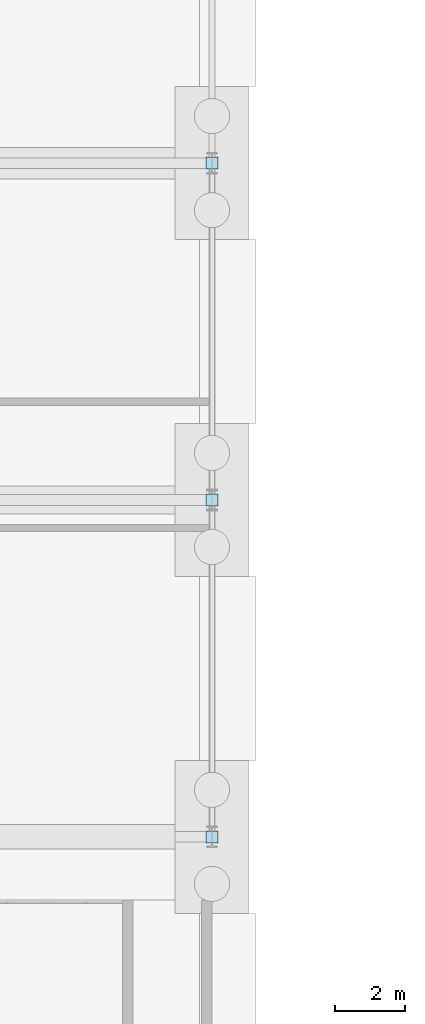
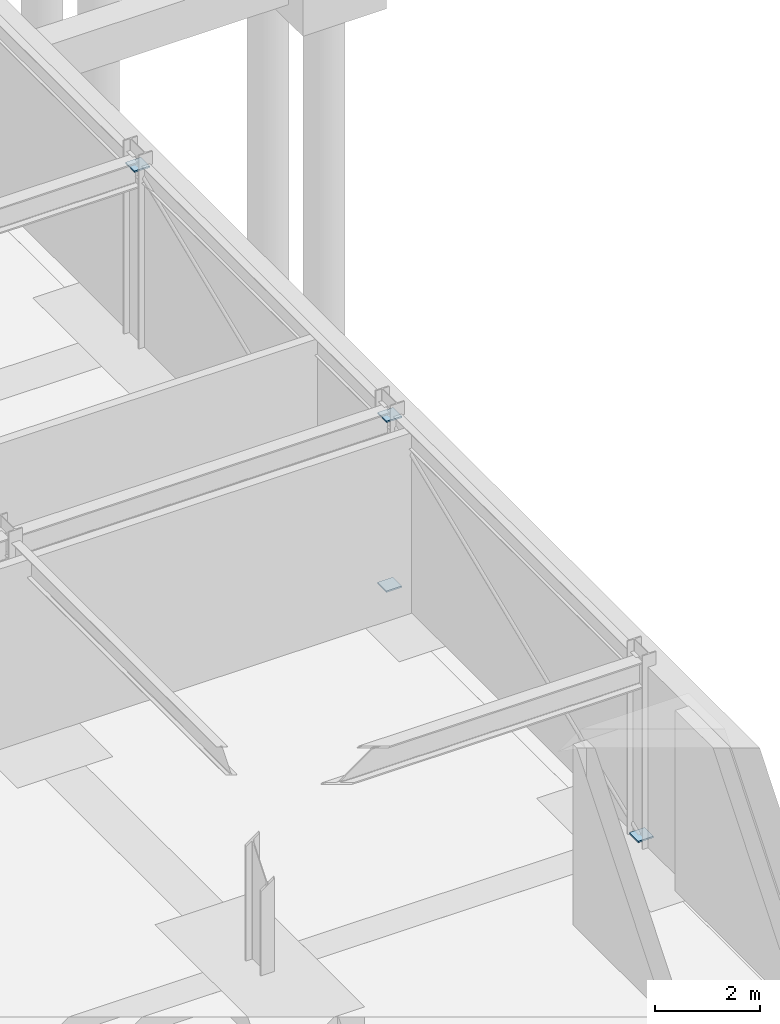
# One storey, part 37 of 59: 4 plates.
"""IFC4 building model written with IfcOpenShell, lengths in metres."""

from ifc_helpers import new_model, si_unit, direction, frame, origin, origin_2d, place, context, subcontext, project, spatial, rectangle, extrude, material, layer, layer_set, type_object, element, save


model = new_model("IFC4")

# Units and contexts
model_context = context("Model", 3, precision=1e-05, world=origin(), true_north=direction((0.0, 1.0)))
body_context = subcontext(model_context, "Body", "Model", "MODEL_VIEW")
ifc_project = project(units=[si_unit("LENGTHUNIT", "METRE"), si_unit("AREAUNIT", "SQUARE_METRE"), si_unit("VOLUMEUNIT", "CUBIC_METRE"), si_unit("PLANEANGLEUNIT", "RADIAN"), si_unit("MASSUNIT", "GRAM", prefix="KILO")], contexts=[model_context])

# Site, building, storey
site_placement = place(None, origin())
site = spatial("IfcSite", under=ifc_project, at=site_placement, CompositionType="ELEMENT")
building_placement = place(site_placement, origin())
building = spatial("IfcBuilding", under=site, at=building_placement, Name="Myrtia Square Station", CompositionType="ELEMENT")
storey_placement = place(building_placement, frame((0.0, 0.0, -4.5)))
storey = spatial("IfcBuildingStorey", under=building, at=storey_placement, Name="B01", CompositionType="ELEMENT", Elevation=-4.5)

# Plates
ifc_material = material(Name="Steel S355", Category="steel")
ifc_layer = layer(ifc_material, 0.034912109375, Name="Steel S355")
ifc_layer_set = layer_set([ifc_layer], Name="Steel S355")
plate_type = type_object("IfcPlateType", Name="PLT-GUS35", PredefinedType="USERDEFINED", material=ifc_layer_set)
for number, where, z_axis, x_axis, name in (
    (1, (179.39990234375, 9.60009765625, 0.08251953125), (0.0, 0.0, 1.0), (0.0, 1.0, 0.0), "Truss node gusset plate BF-B01-07-1"),
    (2, (179.39990234375, 19.199951171875, 4.03271484375), (0.0, 0.0, 1.0), (0.0, 1.0, 0.0), "Truss node gusset plate BF-B01-07-2"),
    (3, (179.39990234375, 19.199951171875, 0.08251953125), (0.0, 0.0, 1.0), (0.0, 1.0, 0.0), "Truss node gusset plate BF-B01-08-1"),
    (4, (179.39990234375, 28.800048828125, 4.03271484375), (0.0, 0.0, 1.0), (0.0, 1.0, 0.0), "Truss node gusset plate BF-B01-08-2"),
):
    element("IfcPlate", number, at=place(storey_placement, frame(where, z_axis=z_axis, x_axis=x_axis)), inside=storey, type_object=plate_type, Name=name, ObjectType="GUSSET PLATE", PredefinedType="USERDEFINED", context=body_context, shape_type="SweptSolid", body=[
        extrude(rectangle(XDim=0.340087890625, YDim=0.340087890625, at=origin_2d()), origin(), (0.0, 0.0, 1.0), 0.034912109375),
    ])

save(model, "model.ifc")
